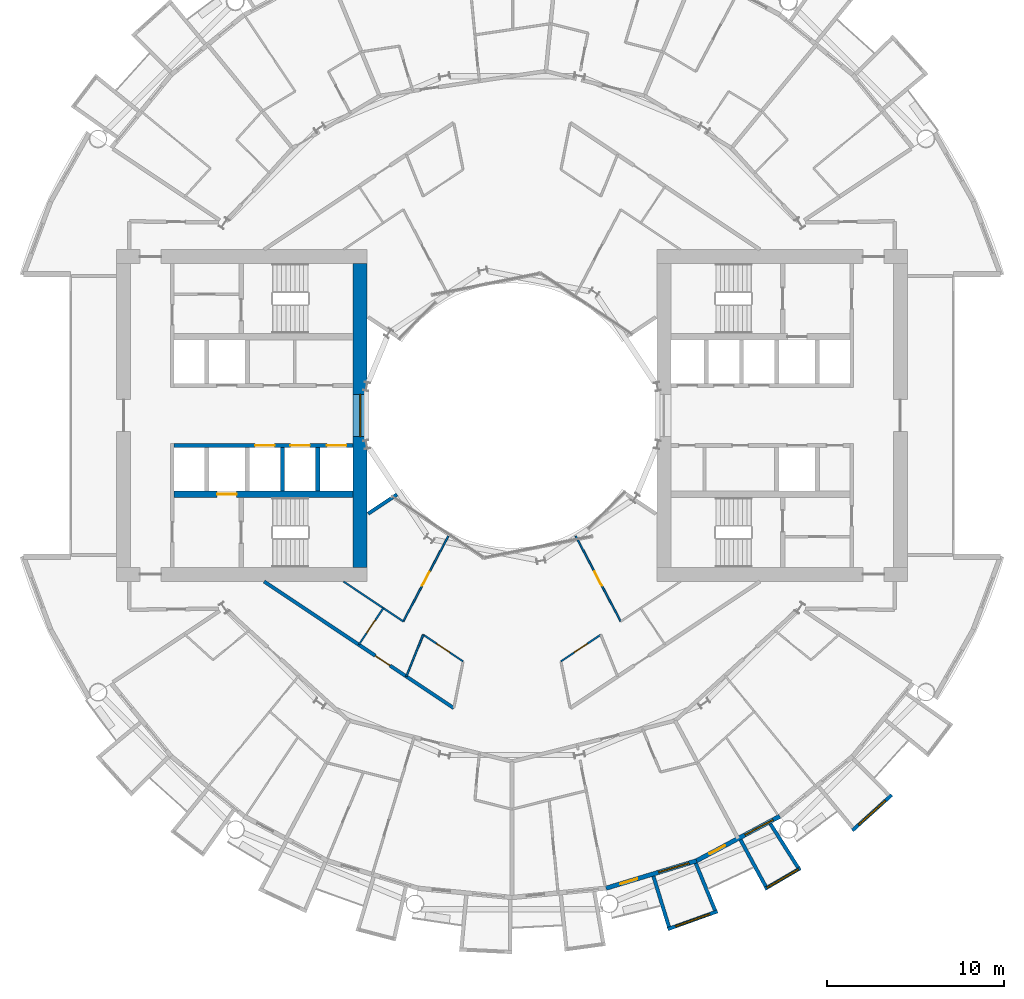
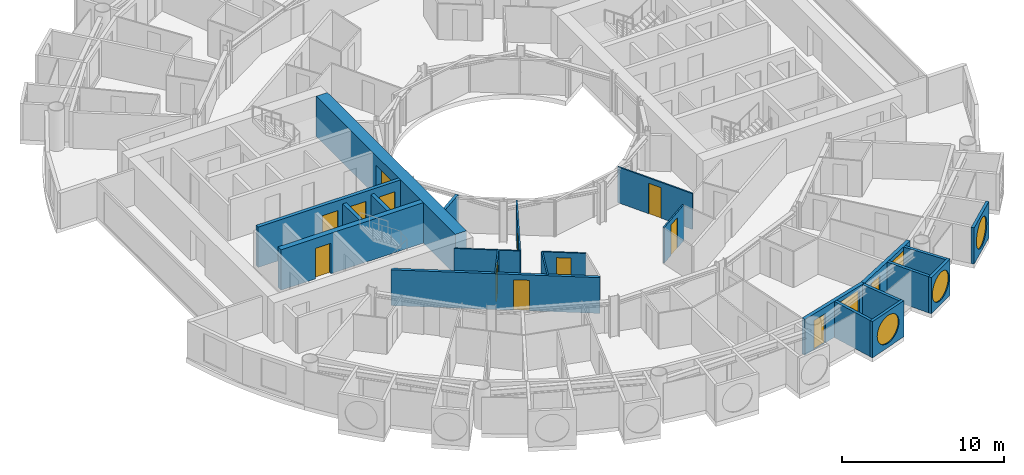
# One storey, part 15 of 26: 23 walls, 12 doors, 6 windows, 18 openings.
"""IFC4 building model written with IfcOpenShell, lengths in metres."""

from ifc_helpers import new_model, si_unit, direction, frame, frame_2d, origin, place, context, subcontext, project, spatial, rectangle, circle, extrude, material, layer, layer_set, type_object, element, fill, save


model = new_model("IFC4")

# Units and contexts
model_context = context("Model", 3, precision=1e-05, world=origin(), true_north=direction((0.0, 1.0)))
body_context = subcontext(model_context, "Body", "Model", "MODEL_VIEW")
ifc_project = project(units=[si_unit("LENGTHUNIT", "METRE"), si_unit("AREAUNIT", "SQUARE_METRE"), si_unit("VOLUMEUNIT", "CUBIC_METRE"), si_unit("PLANEANGLEUNIT", "RADIAN"), si_unit("MASSUNIT", "GRAM", prefix="KILO")], contexts=[model_context])

# Site, building, storey
site_placement = place(None, origin())
site = spatial("IfcSite", under=ifc_project, at=site_placement, CompositionType="ELEMENT")
building_placement = place(site_placement, origin())
building = spatial("IfcBuilding", under=site, at=building_placement, Name="Maasbend Ring Residences", CompositionType="ELEMENT")
storey_placement = place(building_placement, frame((0.0, 0.0, 31.949951171875)))
storey = spatial("IfcBuildingStorey", under=building, at=storey_placement, Name="L08", CompositionType="ELEMENT", Elevation=31.949951171875)

# Wall, openings, doors
ifc_material_1 = material(Name="Concrete C70/85", Category="concrete")
ifc_layer_1 = layer(ifc_material_1, 0.25)
ifc_layer_set_1 = layer_set([ifc_layer_1], Name="Concrete C70/85")
wall_type_1 = type_object("IfcWallType", Name="CORE WALL 250 C70/85", PredefinedType="SHEAR", material=ifc_layer_set_1)
wall_1_placement = place(storey_placement, frame((-9.0, -1.699951171875, 0.0), z_axis=(0.0, 0.0, 1.0), x_axis=(-1.0, 0.0, 0.0)))
wall_1 = element("IfcWall", 1, at=wall_1_placement, inside=storey, type_object=wall_type_1, Name="L08 core W wall SPN", PredefinedType="SHEAR", context=body_context, shape_type="SweptSolid", body=[
    extrude(rectangle(XDim=10.14990234375, YDim=0.25, at=frame_2d((5.074951171875, 0.0))), origin(), (0.0, 0.0, 1.0), 3.050048828125),
])
opening_1_placement = place(wall_1_placement, frame((0.387451171875, 0.0, 0.0)))
opening_1 = element("IfcOpeningElement", 2, at=opening_1_placement, cuts=wall_1, Name="Opening LD-W0801", PredefinedType="OPENING", context=body_context, shape_type="SweptSolid", body=[
    extrude(rectangle(XDim=1.10009765625, YDim=2.300048828125, at=frame_2d((0.550048828125, 1.14990234375))), frame((0.0, 0.135009765625, 0.0), z_axis=(0.0, -1.0, 0.0), x_axis=(1.0, 0.0, 0.0)), (0.0, 0.0, 1.0), 0.27001953125),
])
opening_2_placement = place(wall_1_placement, frame((2.449951171875, 0.0, 0.0)))
opening_2 = element("IfcOpeningElement", 3, at=opening_2_placement, cuts=wall_1, Name="Opening LD-W0802", PredefinedType="OPENING", context=body_context, shape_type="SweptSolid", body=[
    extrude(rectangle(XDim=1.10009765625, YDim=2.300048828125, at=frame_2d((0.550048828125, 1.14990234375))), frame((0.0, 0.135009765625, 0.0), z_axis=(0.0, -1.0, 0.0), x_axis=(1.0, 0.0, 0.0)), (0.0, 0.0, 1.0), 0.27001953125),
])
opening_3_placement = place(wall_1_placement, frame((4.449951171875, 0.0, 0.0)))
opening_3 = element("IfcOpeningElement", 4, at=opening_3_placement, cuts=wall_1, Name="Opening LD-W0803", PredefinedType="OPENING", context=body_context, shape_type="SweptSolid", body=[
    extrude(rectangle(XDim=1.10009765625, YDim=2.300048828125, at=frame_2d((0.550048828125, 1.14990234375))), frame((0.0, 0.135009765625, 0.0), z_axis=(0.0, -1.0, 0.0), x_axis=(1.0, 0.0, 0.0)), (0.0, 0.0, 1.0), 0.27001953125),
])
ifc_material_2 = material(Name="Stainless steel 316", Category="steel")
door_type_1 = type_object("IfcDoorType", Name="LANDING DOOR 1100 X 2300 FD60", OperationType="DOUBLE_DOOR_SLIDING", PredefinedType="DOOR", material=ifc_material_2)
door_1_placement = place(opening_1_placement, origin())
door_1 = element("IfcDoor", 5, at=door_1_placement, inside=storey, type_object=door_type_1, Name="Landing door LR-W1 L08", OperationType="DOUBLE_DOOR_SLIDING", OverallHeight=2.300048828125, OverallWidth=1.10009765625, PredefinedType="DOOR", context=body_context, shape_type="SweptSolid", body=[
    extrude(rectangle(XDim=1.10009765625, YDim=2.300048828125, at=frame_2d((0.550048828125, 1.14990234375))), frame((0.0, 0.02490234375, 0.0), z_axis=(0.0, -1.0, 0.0), x_axis=(1.0, 0.0, 0.0)), (0.0, 0.0, 1.0), 0.050048828125),
])
fill(opening_1, door_1)
door_2_placement = place(opening_2_placement, origin())
door_2 = element("IfcDoor", 6, at=door_2_placement, inside=storey, type_object=door_type_1, Name="Landing door LR-W2 L08", OperationType="DOUBLE_DOOR_SLIDING", OverallHeight=2.300048828125, OverallWidth=1.10009765625, PredefinedType="DOOR", context=body_context, shape_type="SweptSolid", body=[
    extrude(rectangle(XDim=1.10009765625, YDim=2.300048828125, at=frame_2d((0.550048828125, 1.14990234375))), frame((0.0, 0.02490234375, 0.0), z_axis=(0.0, -1.0, 0.0), x_axis=(1.0, 0.0, 0.0)), (0.0, 0.0, 1.0), 0.050048828125),
])
fill(opening_2, door_2)
door_3_placement = place(opening_3_placement, origin())
door_3 = element("IfcDoor", 7, at=door_3_placement, inside=storey, type_object=door_type_1, Name="Landing door LR-W3 L08", OperationType="DOUBLE_DOOR_SLIDING", OverallHeight=2.300048828125, OverallWidth=1.10009765625, PredefinedType="DOOR", context=body_context, shape_type="SweptSolid", body=[
    extrude(rectangle(XDim=1.10009765625, YDim=2.300048828125, at=frame_2d((0.550048828125, 1.14990234375))), frame((0.0, 0.02490234375, 0.0), z_axis=(0.0, -1.0, 0.0), x_axis=(1.0, 0.0, 0.0)), (0.0, 0.0, 1.0), 0.050048828125),
])
fill(opening_3, door_3)

# Wall, opening, door
ifc_material_3 = material(Name="Concrete C70/85", Category="concrete")
ifc_layer_2 = layer(ifc_material_3, 0.375)
ifc_layer_set_2 = layer_set([ifc_layer_2], Name="Concrete C70/85")
wall_type_2 = type_object("IfcWallType", Name="CORE WALL 375 C70/85", PredefinedType="SHEAR", material=ifc_layer_set_2)
wall_2_placement = place(storey_placement, frame((-9.0, -4.46240234375, 0.0), z_axis=(0.0, 0.0, 1.0), x_axis=(-1.0, 0.0, 0.0)))
wall_2 = element("IfcWall", 8, at=wall_2_placement, inside=storey, type_object=wall_type_2, Name="L08 core W wall BN", PredefinedType="SHEAR", context=body_context, shape_type="SweptSolid", body=[
    extrude(rectangle(XDim=10.14990234375, YDim=0.375, at=frame_2d((5.074951171875, 0.0))), origin(), (0.0, 0.0, 1.0), 3.050048828125),
])
opening_4_placement = place(wall_2_placement, frame((6.60009765625, 0.0, 0.0)))
opening_4 = element("IfcOpeningElement", 9, at=opening_4_placement, cuts=wall_2, Name="Opening LD-W0804", PredefinedType="OPENING", context=body_context, shape_type="SweptSolid", body=[
    extrude(rectangle(XDim=1.10009765625, YDim=2.300048828125, at=frame_2d((0.550048828125, 1.14990234375))), frame((0.0, 0.197509765625, 0.0), z_axis=(0.0, -1.0, 0.0), x_axis=(1.0, 0.0, 0.0)), (0.0, 0.0, 1.0), 0.39501953125),
])
door_4_placement = place(opening_4_placement, origin())
door_4 = element("IfcDoor", 10, at=door_4_placement, inside=storey, type_object=door_type_1, Name="Landing door FF-W L08", OperationType="DOUBLE_DOOR_SLIDING", OverallHeight=2.300048828125, OverallWidth=1.10009765625, PredefinedType="DOOR", context=body_context, shape_type="SweptSolid", body=[
    extrude(rectangle(XDim=1.10009765625, YDim=2.300048828125, at=frame_2d((0.550048828125, 1.14990234375))), frame((0.0, 0.02490234375, 0.0), z_axis=(0.0, -1.0, 0.0), x_axis=(1.0, 0.0, 0.0)), (0.0, 0.0, 1.0), 0.050048828125),
])
fill(opening_4, door_4)

# Wall, opening, window
ifc_material_4 = material(Name="Concrete C70/85", Category="concrete")
ifc_layer_3 = layer(ifc_material_4, 0.800048828125)
ifc_layer_set_3 = layer_set([ifc_layer_3], Name="Concrete C70/85")
wall_type_3 = type_object("IfcWallType", Name="CORE WALL 800 C70/85", PredefinedType="SHEAR", material=ifc_layer_set_3)
wall_3_placement = place(storey_placement, frame((-8.60009765625, 8.60009765625, 0.0), z_axis=(0.0, 0.0, 1.0), x_axis=(0.0, -1.0, 0.0)))
wall_3 = element("IfcWall", 11, at=wall_3_placement, inside=storey, type_object=wall_type_3, Name="L08 core W wall PIN", PredefinedType="SHEAR", context=body_context, shape_type="SweptSolid", body=[
    extrude(rectangle(XDim=17.2001953125, YDim=0.800048828125, at=frame_2d((8.60009765625, 0.0))), origin(), (0.0, 0.0, 1.0), 3.050048828125),
])
opening_5_placement = place(wall_3_placement, frame((7.39990234375, 0.0, 0.10009765625)))
opening_5 = element("IfcOpeningElement", 12, at=opening_5_placement, cuts=wall_3, Name="Opening W-W0801", PredefinedType="OPENING", context=body_context, shape_type="SweptSolid", body=[
    extrude(rectangle(XDim=2.39990234375, YDim=2.199951171875, at=frame_2d((1.199951171875, 1.10009765625))), frame((0.0, 0.41015625, 0.0), z_axis=(0.0, -1.0, 0.0), x_axis=(1.0, 0.0, 0.0)), (0.0, 0.0, 1.0), 0.820068359375),
])
ifc_material_5 = material(Name="Aluminium frame and clear glass", Category="aluminium")
window_type_1 = type_object("IfcWindowType", Name="FIXED WINDOW 2400 X 2200", PartitioningType="SINGLE_PANEL", PredefinedType="WINDOW", material=ifc_material_5)
window_1_placement = place(opening_5_placement, origin())
window_1 = element("IfcWindow", 13, at=window_1_placement, inside=storey, type_object=window_type_1, Name="Lobby window L08", OverallHeight=2.199951171875, OverallWidth=2.39990234375, PartitioningType="SINGLE_PANEL", PredefinedType="WINDOW", context=body_context, shape_type="SweptSolid", body=[
    extrude(rectangle(XDim=2.39990234375, YDim=2.199951171875, at=frame_2d((1.199951171875, 1.10009765625))), frame((0.0, 0.030029296875, 0.0), z_axis=(0.0, -1.0, 0.0), x_axis=(1.0, 0.0, 0.0)), (0.0, 0.0, 1.0), 0.06005859375),
])
fill(opening_5, window_1)

# Wall, opening, door
ifc_material_6 = material(Name="Concrete C30/37", Category="concrete")
ifc_layer_4 = layer(ifc_material_6, 0.199951171875)
ifc_layer_set_4 = layer_set([ifc_layer_4], Name="Concrete C30/37")
wall_type_4 = type_object("IfcWallType", Name="CORRIDOR WALL 200 CONCRETE", PredefinedType="PARTITIONING", material=ifc_layer_set_4)
wall_4_placement = place(storey_placement, frame((-14.035888671875, -9.402099609375, 0.0), z_axis=(0.0, 0.0, 1.0), x_axis=(0.831561346449, -0.555432918625, 0.0)))
wall_4 = element("IfcWall", 14, at=wall_4_placement, inside=storey, type_object=wall_type_4, Name="U-L08-w015", PredefinedType="PARTITIONING", context=body_context, shape_type="SweptSolid", body=[
    extrude(rectangle(XDim=12.9140625, YDim=0.199951171875, at=frame_2d((6.45703125, 0.0))), origin(), (0.0, 0.0, 1.0), 2.699951171875),
])
opening_6_placement = place(wall_4_placement, frame((7.56591796875, 0.0, 0.0)))
opening_6 = element("IfcOpeningElement", 15, at=opening_6_placement, cuts=wall_4, Name="Opening D-0849", PredefinedType="OPENING", context=body_context, shape_type="SweptSolid", body=[
    extrude(rectangle(XDim=1.0, YDim=2.300048828125, at=frame_2d((0.5, 1.14990234375))), frame((0.0, 0.10986328125, 0.0), z_axis=(0.0, -1.0, 0.0), x_axis=(1.0, 0.0, 0.0)), (0.0, 0.0, 1.0), 0.219970703125),
])
ifc_material_7 = material(Name="Timber, fire-rated, painted", Category="wood")
door_type_2 = type_object("IfcDoorType", Name="FLAT ENTRANCE DOOR 1000 X 2300 FIRE-RATED", OperationType="NOTDEFINED", PredefinedType="DOOR", material=ifc_material_7)
door_5_placement = place(opening_6_placement, origin())
door_5 = element("IfcDoor", 16, at=door_5_placement, inside=storey, type_object=door_type_2, Name="D-0849", OperationType="SINGLE_SWING_RIGHT", OverallHeight=2.300048828125, OverallWidth=1.0, PredefinedType="DOOR", context=body_context, shape_type="SweptSolid", body=[
    extrude(rectangle(XDim=1.0, YDim=2.300048828125, at=frame_2d((0.5, 1.14990234375))), frame((0.0, 0.02490234375, 0.0), z_axis=(0.0, -1.0, 0.0), x_axis=(1.0, 0.0, 0.0)), (0.0, 0.0, 1.0), 0.050048828125),
])
fill(opening_6, door_5)

# Wall, opening, window
ifc_material_8 = material(Name="Pale anodised aluminium panel", Category="aluminium")
ifc_layer_5 = layer(ifc_material_8, 0.199951171875)
ifc_layer_set_5 = layer_set([ifc_layer_5], Name="EW-BOX")
wall_type_5 = type_object("IfcWallType", Name="EW-BOX", PredefinedType="SOLIDWALL", material=ifc_layer_set_5)
wall_5_placement = place(storey_placement, frame((8.820068359375, -29.093017578125, -0.030029296875), z_axis=(0.0, 0.0, 1.0), x_axis=(0.941461077774, 0.337121697664, 0.0)))
wall_5 = element("IfcWall", 17, at=wall_5_placement, inside=storey, type_object=wall_type_5, Name="Box front S14", PredefinedType="SOLIDWALL", context=body_context, shape_type="SweptSolid", body=[
    extrude(rectangle(XDim=2.9931640625, YDim=0.199951171875, at=frame_2d((1.49658203125, 0.0))), origin(), (0.0, 0.0, 1.0), 2.72998046875),
])
opening_7_placement = place(wall_5_placement, frame((0.45654296875, 0.0, 0.330078125)))
opening_7 = element("IfcOpeningElement", 18, at=opening_7_placement, cuts=wall_5, Name="Opening W-RD", PredefinedType="OPENING", context=body_context, shape_type="SweptSolid", body=[
    extrude(circle(Radius=1.0400390625, at=frame_2d((1.0400390625, 1.0400390625))), frame((0.0, 0.10986328125, 0.0), z_axis=(0.0, -1.0, 0.0), x_axis=(1.0, 0.0, 0.0)), (0.0, 0.0, 1.0), 0.219970703125),
])
ifc_material_9 = material(Name="Aluminium and clear glass", Category="aluminium")
window_type_2 = type_object("IfcWindowType", Name="W-RD", PartitioningType="SINGLE_PANEL", PredefinedType="WINDOW", material=ifc_material_9)
window_2_placement = place(opening_7_placement, origin())
window_2 = element("IfcWindow", 19, at=window_2_placement, inside=storey, type_object=window_type_2, Name="Round window S14", OverallHeight=2.080078125, OverallWidth=2.080078125, PartitioningType="SINGLE_PANEL", PredefinedType="WINDOW", context=body_context, shape_type="SweptSolid", body=[
    extrude(circle(Radius=1.0400390625, at=frame_2d((1.0400390625, 1.0400390625))), frame((0.0, 0.030029296875, 0.0), z_axis=(0.0, -1.0, 0.0), x_axis=(1.0, 0.0, 0.0)), (0.0, 0.0, 1.0), 0.06005859375),
])
fill(opening_7, window_2)

# Walls
wall_6_placement = place(storey_placement, frame((8.009033203125, -26.092041015625, -0.030029296875), z_axis=(0.0, 0.0, 1.0), x_axis=(0.293406695073, -0.955987715029, 0.0)))
element("IfcWall", 20, at=wall_6_placement, inside=storey, type_object=wall_type_5, Name="Box side wall S14 left", PredefinedType="SOLIDWALL", context=body_context, shape_type="SweptSolid", body=[
    extrude(rectangle(XDim=3.00634765625, YDim=0.199951171875, at=frame_2d((1.503173828125, 0.0))), origin(), (0.0, 0.0, 1.0), 2.72998046875),
])
wall_7_placement = place(storey_placement, frame((10.408935546875, -25.364013671875, -0.030029296875), z_axis=(0.0, 0.0, 1.0), x_axis=(0.379509886562, -0.925187681501, 0.0)))
element("IfcWall", 21, at=wall_7_placement, inside=storey, type_object=wall_type_5, Name="Box side wall S14 right", PredefinedType="SOLIDWALL", context=body_context, shape_type="SweptSolid", body=[
    extrude(rectangle(XDim=2.882568359375, YDim=0.199951171875, at=frame_2d((1.44140625, 0.0))), origin(), (0.0, 0.0, 1.0), 2.72998046875),
])

# Wall, opening, window
wall_8_placement = place(storey_placement, frame((14.326904296875, -26.81201171875, -0.030029296875), z_axis=(0.0, 0.0, 1.0), x_axis=(0.863346521872, 0.504611517081, 0.0)))
wall_8 = element("IfcWall", 22, at=wall_8_placement, inside=storey, type_object=wall_type_5, Name="Box front S16", PredefinedType="SOLIDWALL", context=body_context, shape_type="SweptSolid", body=[
    extrude(rectangle(XDim=2.33642578125, YDim=0.199951171875, at=frame_2d((1.168212890625, 0.0))), origin(), (0.0, 0.0, 1.0), 2.72998046875),
])
opening_8_placement = place(wall_8_placement, frame((0.128173828125, 0.0, 0.330078125)))
opening_8 = element("IfcOpeningElement", 23, at=opening_8_placement, cuts=wall_8, Name="Opening W-RD", PredefinedType="OPENING", context=body_context, shape_type="SweptSolid", body=[
    extrude(circle(Radius=1.0400390625, at=frame_2d((1.0400390625, 1.0400390625))), frame((0.0, 0.10986328125, 0.0), z_axis=(0.0, -1.0, 0.0), x_axis=(1.0, 0.0, 0.0)), (0.0, 0.0, 1.0), 0.219970703125),
])
window_3_placement = place(opening_8_placement, origin())
window_3 = element("IfcWindow", 24, at=window_3_placement, inside=storey, type_object=window_type_2, Name="Round window S16", OverallHeight=2.080078125, OverallWidth=2.080078125, PartitioningType="SINGLE_PANEL", PredefinedType="WINDOW", context=body_context, shape_type="SweptSolid", body=[
    extrude(circle(Radius=1.0400390625, at=frame_2d((1.0400390625, 1.0400390625))), frame((0.0, 0.030029296875, 0.0), z_axis=(0.0, -1.0, 0.0), x_axis=(1.0, 0.0, 0.0)), (0.0, 0.0, 1.0), 0.06005859375),
])
fill(opening_8, window_3)

# Walls
wall_9_placement = place(storey_placement, frame((12.945068359375, -24.029052734375, -0.030029296875), z_axis=(0.0, 0.0, 1.0), x_axis=(0.474424310775, -0.88029629861, 0.0)))
element("IfcWall", 25, at=wall_9_placement, inside=storey, type_object=wall_type_5, Name="Box side wall S16 left", PredefinedType="SOLIDWALL", context=body_context, shape_type="SweptSolid", body=[
    extrude(rectangle(XDim=3.005859375, YDim=0.199951171875, at=frame_2d((1.5029296875, 0.0))), origin(), (0.0, 0.0, 1.0), 2.72998046875),
])
wall_10_placement = place(storey_placement, frame((14.635009765625, -23.1259765625, -0.030029296875), z_axis=(0.0, 0.0, 1.0), x_axis=(0.534437802731, -0.845207805816, 0.0)))
element("IfcWall", 26, at=wall_10_placement, inside=storey, type_object=wall_type_5, Name="Box side wall S16 right", PredefinedType="SOLIDWALL", context=body_context, shape_type="SweptSolid", body=[
    extrude(rectangle(XDim=2.931884765625, YDim=0.199951171875, at=frame_2d((1.4658203125, 0.0))), origin(), (0.0, 0.0, 1.0), 2.72998046875),
])

# Wall, opening, window
wall_11_placement = place(storey_placement, frame((19.281982421875, -23.5029296875, -0.030029296875), z_axis=(0.0, 0.0, 1.0), x_axis=(0.740998365753, 0.671506829416, 0.0)))
wall_11 = element("IfcWall", 27, at=wall_11_placement, inside=storey, type_object=wall_type_5, Name="Box front S18", PredefinedType="SOLIDWALL", context=body_context, shape_type="SweptSolid", body=[
    extrude(rectangle(XDim=2.9931640625, YDim=0.199951171875, at=frame_2d((1.49658203125, 0.0))), origin(), (0.0, 0.0, 1.0), 2.72998046875),
])
opening_9_placement = place(wall_11_placement, frame((0.45654296875, 0.0, 0.330078125)))
opening_9 = element("IfcOpeningElement", 28, at=opening_9_placement, cuts=wall_11, Name="Opening W-RD", PredefinedType="OPENING", context=body_context, shape_type="SweptSolid", body=[
    extrude(circle(Radius=1.0400390625, at=frame_2d((1.0400390625, 1.0400390625))), frame((0.0, 0.10986328125, 0.0), z_axis=(0.0, -1.0, 0.0), x_axis=(1.0, 0.0, 0.0)), (0.0, 0.0, 1.0), 0.219970703125),
])
window_4_placement = place(opening_9_placement, origin())
window_4 = element("IfcWindow", 29, at=window_4_placement, inside=storey, type_object=window_type_2, Name="Round window S18", OverallHeight=2.080078125, OverallWidth=2.080078125, PartitioningType="SINGLE_PANEL", PredefinedType="WINDOW", context=body_context, shape_type="SweptSolid", body=[
    extrude(circle(Radius=1.0400390625, at=frame_2d((1.0400390625, 1.0400390625))), frame((0.0, 0.030029296875, 0.0), z_axis=(0.0, -1.0, 0.0), x_axis=(1.0, 0.0, 0.0)), (0.0, 0.0, 1.0), 0.06005859375),
])
fill(opening_9, window_4)

# Wall, openings, door, window
ifc_material_10 = material(Name="Aluminium clad insulated panel", Category="aluminium")
ifc_layer_6 = layer(ifc_material_10, 0.25)
ifc_layer_set_6 = layer_set([ifc_layer_6], Name="EW-GL")
wall_type_6 = type_object("IfcWallType", Name="EW-GL", PredefinedType="SOLIDWALL", material=ifc_layer_set_6)
wall_12_placement = place(storey_placement, frame((5.325927734375, -26.77490234375, 0.0), z_axis=(0.0, 0.0, 1.0), x_axis=(0.956965678721, 0.290201119486, 0.0)))
wall_12 = element("IfcWall", 30, at=wall_12_placement, inside=storey, type_object=wall_type_6, Name="External wall S07", PredefinedType="SOLIDWALL", context=body_context, shape_type="SweptSolid", body=[
    extrude(rectangle(XDim=5.351318359375, YDim=0.25, at=frame_2d((2.67578125, 0.0))), origin(), (0.0, 0.0, 1.0), 2.699951171875),
])
opening_10_placement = place(wall_12_placement, frame((0.841064453125, 0.0, 0.0)))
opening_10 = element("IfcOpeningElement", 31, at=opening_10_placement, cuts=wall_12, Name="Opening D-LG", PredefinedType="OPENING", context=body_context, shape_type="SweptSolid", body=[
    extrude(rectangle(XDim=1.0, YDim=2.199951171875, at=frame_2d((0.5, 1.10009765625))), frame((0.0, 0.135009765625, 0.0), z_axis=(0.0, -1.0, 0.0), x_axis=(1.0, 0.0, 0.0)), (0.0, 0.0, 1.0), 0.27001953125),
])
opening_11_placement = place(wall_12_placement, frame((3.110595703125, 0.0, 0.300048828125)))
opening_11 = element("IfcOpeningElement", 32, at=opening_11_placement, cuts=wall_12, Name="Opening W-BX", PredefinedType="OPENING", context=body_context, shape_type="SweptSolid", body=[
    extrude(rectangle(XDim=1.800048828125, YDim=2.10009765625, at=frame_2d((0.89990234375, 1.050048828125))), frame((0.0, 0.135009765625, 0.0), z_axis=(0.0, -1.0, 0.0), x_axis=(1.0, 0.0, 0.0)), (0.0, 0.0, 1.0), 0.27001953125),
])
ifc_material_11 = material(Name="Aluminium and clear glass", Category="aluminium")
door_type_3 = type_object("IfcDoorType", Name="D-LG", OperationType="SINGLE_SWING_LEFT", PredefinedType="DOOR", material=ifc_material_11)
door_6_placement = place(opening_10_placement, origin())
door_6 = element("IfcDoor", 33, at=door_6_placement, inside=storey, type_object=door_type_3, Name="Loggia door S13", OperationType="SINGLE_SWING_LEFT", OverallHeight=2.199951171875, OverallWidth=1.0, PredefinedType="DOOR", context=body_context, shape_type="SweptSolid", body=[
    extrude(rectangle(XDim=1.0, YDim=2.199951171875, at=frame_2d((0.5, 1.10009765625))), frame((0.0, 0.02490234375, 0.0), z_axis=(0.0, -1.0, 0.0), x_axis=(1.0, 0.0, 0.0)), (0.0, 0.0, 1.0), 0.050048828125),
])
fill(opening_10, door_6)
ifc_material_12 = material(Name="Aluminium and clear glass", Category="aluminium")
window_type_3 = type_object("IfcWindowType", Name="W-BX", PartitioningType="DOUBLE_PANEL_VERTICAL", PredefinedType="WINDOW", material=ifc_material_12)
window_5_placement = place(opening_11_placement, origin())
window_5 = element("IfcWindow", 34, at=window_5_placement, inside=storey, type_object=window_type_3, Name="Window S14 room to box", OverallHeight=2.10009765625, OverallWidth=1.800048828125, PartitioningType="SINGLE_PANEL", PredefinedType="WINDOW", context=body_context, shape_type="SweptSolid", body=[
    extrude(rectangle(XDim=1.800048828125, YDim=2.10009765625, at=frame_2d((0.89990234375, 1.050048828125))), frame((0.0, 0.030029296875, 0.0), z_axis=(0.0, -1.0, 0.0), x_axis=(1.0, 0.0, 0.0)), (0.0, 0.0, 1.0), 0.06005859375),
])
fill(opening_11, window_5)

wall_13_placement = place(storey_placement, frame((10.447021484375, -25.221923828125, 0.0), z_axis=(0.0, 0.0, 1.0), x_axis=(0.881915646801, 0.471407246368, 0.0)))
wall_13 = element("IfcWall", 35, at=wall_13_placement, inside=storey, type_object=wall_type_6, Name="External wall S08", PredefinedType="SOLIDWALL", context=body_context, shape_type="SweptSolid", body=[
    extrude(rectangle(XDim=5.35205078125, YDim=0.25, at=frame_2d((2.676025390625, 0.0))), origin(), (0.0, 0.0, 1.0), 2.699951171875),
])
opening_12_placement = place(wall_13_placement, frame((0.841064453125, 0.0, 0.0)))
opening_12 = element("IfcOpeningElement", 36, at=opening_12_placement, cuts=wall_13, Name="Opening D-LG", PredefinedType="OPENING", context=body_context, shape_type="SweptSolid", body=[
    extrude(rectangle(XDim=1.0, YDim=2.199951171875, at=frame_2d((0.5, 1.10009765625))), frame((0.0, 0.135009765625, 0.0), z_axis=(0.0, -1.0, 0.0), x_axis=(1.0, 0.0, 0.0)), (0.0, 0.0, 1.0), 0.27001953125),
])
opening_13_placement = place(wall_13_placement, frame((3.110595703125, 0.0, 0.300048828125)))
opening_13 = element("IfcOpeningElement", 37, at=opening_13_placement, cuts=wall_13, Name="Opening W-BX", PredefinedType="OPENING", context=body_context, shape_type="SweptSolid", body=[
    extrude(rectangle(XDim=1.800048828125, YDim=2.10009765625, at=frame_2d((0.89990234375, 1.050048828125))), frame((0.0, 0.135009765625, 0.0), z_axis=(0.0, -1.0, 0.0), x_axis=(1.0, 0.0, 0.0)), (0.0, 0.0, 1.0), 0.27001953125),
])
door_7_placement = place(opening_12_placement, origin())
door_7 = element("IfcDoor", 38, at=door_7_placement, inside=storey, type_object=door_type_3, Name="Loggia door S15", OperationType="SINGLE_SWING_LEFT", OverallHeight=2.199951171875, OverallWidth=1.0, PredefinedType="DOOR", context=body_context, shape_type="SweptSolid", body=[
    extrude(rectangle(XDim=1.0, YDim=2.199951171875, at=frame_2d((0.5, 1.10009765625))), frame((0.0, 0.02490234375, 0.0), z_axis=(0.0, -1.0, 0.0), x_axis=(1.0, 0.0, 0.0)), (0.0, 0.0, 1.0), 0.050048828125),
])
fill(opening_12, door_7)
window_6_placement = place(opening_13_placement, origin())
window_6 = element("IfcWindow", 39, at=window_6_placement, inside=storey, type_object=window_type_3, Name="Window S16 room to box", OverallHeight=2.10009765625, OverallWidth=1.800048828125, PartitioningType="SINGLE_PANEL", PredefinedType="WINDOW", context=body_context, shape_type="SweptSolid", body=[
    extrude(rectangle(XDim=1.800048828125, YDim=2.10009765625, at=frame_2d((0.89990234375, 1.050048828125))), frame((0.0, 0.030029296875, 0.0), z_axis=(0.0, -1.0, 0.0), x_axis=(1.0, 0.0, 0.0)), (0.0, 0.0, 1.0), 0.06005859375),
])
fill(opening_13, window_6)

# Wall
ifc_material_13 = material(Name="Gypsum board on steel studs", Category="steel")
ifc_layer_7 = layer(ifc_material_13, 0.10009765625)
ifc_layer_set_7 = layer_set([ifc_layer_7], Name="PARTITION 100 GYPSUM")
wall_type_7 = type_object("IfcWallType", Name="PARTITION 100 GYPSUM", PredefinedType="PARTITIONING", material=ifc_layer_set_7)
wall_14_placement = place(storey_placement, frame((-9.544921875, -9.40087890625, 0.0), z_axis=(0.0, 0.0, 1.0), x_axis=(0.831459707426, -0.555585056429, 0.0)))
element("IfcWall", 40, at=wall_14_placement, inside=storey, type_object=wall_type_7, Name="U-L08-w017", PredefinedType="PARTITIONING", context=body_context, shape_type="SweptSolid", body=[
    extrude(rectangle(XDim=4.073486328125, YDim=0.10009765625, at=frame_2d((2.03662109375, 0.0))), origin(), (0.0, 0.0, 1.0), 2.699951171875),
])

# Wall, opening, door
wall_15_placement = place(storey_placement, frame((-5.029052734375, -12.41796875, 0.0), z_axis=(0.0, 0.0, 1.0), x_axis=(0.831538390496, -0.555467285384, 0.0)))
wall_15 = element("IfcWall", 41, at=wall_15_placement, inside=storey, type_object=wall_type_7, Name="U-L08-w018", PredefinedType="PARTITIONING", context=body_context, shape_type="SweptSolid", body=[
    extrude(rectangle(XDim=2.716796875, YDim=0.10009765625, at=frame_2d((1.3583984375, 0.0))), origin(), (0.0, 0.0, 1.0), 2.699951171875),
])
opening_14_placement = place(wall_15_placement, frame((0.907958984375, 0.0, 0.0)))
opening_14 = element("IfcOpeningElement", 42, at=opening_14_placement, cuts=wall_15, Name="Opening D-0850", PredefinedType="OPENING", context=body_context, shape_type="SweptSolid", body=[
    extrude(rectangle(XDim=0.89990234375, YDim=2.300048828125, at=frame_2d((0.449951171875, 1.14990234375))), frame((0.0, 0.06005859375, 0.0), z_axis=(0.0, -1.0, 0.0), x_axis=(1.0, 0.0, 0.0)), (0.0, 0.0, 1.0), 0.1201171875),
])
ifc_material_14 = material(Name="Timber, painted", Category="wood")
door_type_4 = type_object("IfcDoorType", Name="INTERNAL DOOR 900 X 2300", OperationType="NOTDEFINED", PredefinedType="DOOR", material=ifc_material_14)
door_8_placement = place(opening_14_placement, origin())
door_8 = element("IfcDoor", 43, at=door_8_placement, inside=storey, type_object=door_type_4, Name="D-0850", OperationType="SINGLE_SWING_LEFT", OverallHeight=2.300048828125, OverallWidth=0.89990234375, PredefinedType="DOOR", context=body_context, shape_type="SweptSolid", body=[
    extrude(rectangle(XDim=0.89990234375, YDim=2.300048828125, at=frame_2d((0.449951171875, 1.14990234375))), frame((0.0, 0.02490234375, 0.0), z_axis=(0.0, -1.0, 0.0), x_axis=(1.0, 0.0, 0.0)), (0.0, 0.0, 1.0), 0.050048828125),
])
fill(opening_14, door_8)

wall_16_placement = place(storey_placement, frame((2.77001953125, -13.927001953125, 0.0), z_axis=(0.0, 0.0, 1.0), x_axis=(0.831538390496, 0.555467285384, 0.0)))
wall_16 = element("IfcWall", 44, at=wall_16_placement, inside=storey, type_object=wall_type_7, Name="U-L08-w019", PredefinedType="PARTITIONING", context=body_context, shape_type="SweptSolid", body=[
    extrude(rectangle(XDim=2.716796875, YDim=0.10009765625, at=frame_2d((1.3583984375, 0.0))), origin(), (0.0, 0.0, 1.0), 2.699951171875),
])
opening_15_placement = place(wall_16_placement, frame((0.907958984375, 0.0, 0.0)))
opening_15 = element("IfcOpeningElement", 45, at=opening_15_placement, cuts=wall_16, Name="Opening D-0854", PredefinedType="OPENING", context=body_context, shape_type="SweptSolid", body=[
    extrude(rectangle(XDim=0.89990234375, YDim=2.300048828125, at=frame_2d((0.449951171875, 1.14990234375))), frame((0.0, 0.06005859375, 0.0), z_axis=(0.0, -1.0, 0.0), x_axis=(1.0, 0.0, 0.0)), (0.0, 0.0, 1.0), 0.1201171875),
])
door_9_placement = place(opening_15_placement, origin())
door_9 = element("IfcDoor", 46, at=door_9_placement, inside=storey, type_object=door_type_4, Name="D-0854", OperationType="SINGLE_SWING_RIGHT", OverallHeight=2.300048828125, OverallWidth=0.89990234375, PredefinedType="DOOR", context=body_context, shape_type="SweptSolid", body=[
    extrude(rectangle(XDim=0.89990234375, YDim=2.300048828125, at=frame_2d((0.449951171875, 1.14990234375))), frame((0.0, 0.02490234375, 0.0), z_axis=(0.0, -1.0, 0.0), x_axis=(1.0, 0.0, 0.0)), (0.0, 0.0, 1.0), 0.050048828125),
])
fill(opening_15, door_9)

wall_17_placement = place(storey_placement, frame((-8.675048828125, -12.98193359375, 0.0), z_axis=(0.0, 0.0, 1.0), x_axis=(0.555625883274, 0.831432425297, 0.0)))
wall_17 = element("IfcWall", 47, at=wall_17_placement, inside=storey, type_object=wall_type_7, Name="U-L08-w038", PredefinedType="PARTITIONING", context=body_context, shape_type="SweptSolid", body=[
    extrude(rectangle(XDim=2.494384765625, YDim=0.10009765625, at=frame_2d((1.2470703125, 0.0))), origin(), (0.0, 0.0, 1.0), 2.699951171875),
])
opening_16_placement = place(wall_17_placement, frame((0.798095703125, 0.0, 0.0)))
opening_16 = element("IfcOpeningElement", 48, at=opening_16_placement, cuts=wall_17, Name="Opening D-0851", PredefinedType="OPENING", context=body_context, shape_type="SweptSolid", body=[
    extrude(rectangle(XDim=0.89990234375, YDim=2.300048828125, at=frame_2d((0.449951171875, 1.14990234375))), frame((0.0, 0.06005859375, 0.0), z_axis=(0.0, -1.0, 0.0), x_axis=(1.0, 0.0, 0.0)), (0.0, 0.0, 1.0), 0.1201171875),
])
door_10_placement = place(opening_16_placement, origin())
door_10 = element("IfcDoor", 49, at=door_10_placement, inside=storey, type_object=door_type_4, Name="D-0851", OperationType="SINGLE_SWING_RIGHT", OverallHeight=2.300048828125, OverallWidth=0.89990234375, PredefinedType="DOOR", context=body_context, shape_type="SweptSolid", body=[
    extrude(rectangle(XDim=0.89990234375, YDim=2.300048828125, at=frame_2d((0.449951171875, 1.14990234375))), frame((0.0, 0.02490234375, 0.0), z_axis=(0.0, -1.0, 0.0), x_axis=(1.0, 0.0, 0.0)), (0.0, 0.0, 1.0), 0.050048828125),
])
fill(opening_16, door_10)

wall_18_placement = place(storey_placement, frame((-6.158935546875, -11.6630859375, 0.0), z_axis=(0.0, 0.0, 1.0), x_axis=(0.466976820365, 0.884269556889, 0.0)))
wall_18 = element("IfcWall", 50, at=wall_18_placement, inside=storey, type_object=wall_type_7, Name="U-L08-w043", PredefinedType="PARTITIONING", context=body_context, shape_type="SweptSolid", body=[
    extrude(rectangle(XDim=5.46923828125, YDim=0.10009765625, at=frame_2d((2.734619140625, 0.0))), origin(), (0.0, 0.0, 1.0), 2.699951171875),
])
opening_17_placement = place(wall_18_placement, frame((2.283935546875, 0.0, 0.0)))
opening_17 = element("IfcOpeningElement", 51, at=opening_17_placement, cuts=wall_18, Name="Opening D-0852", PredefinedType="OPENING", context=body_context, shape_type="SweptSolid", body=[
    extrude(rectangle(XDim=0.89990234375, YDim=2.300048828125, at=frame_2d((0.449951171875, 1.14990234375))), frame((0.0, 0.06005859375, 0.0), z_axis=(0.0, -1.0, 0.0), x_axis=(1.0, 0.0, 0.0)), (0.0, 0.0, 1.0), 0.1201171875),
])
door_11_placement = place(opening_17_placement, origin())
door_11 = element("IfcDoor", 52, at=door_11_placement, inside=storey, type_object=door_type_4, Name="D-0852", OperationType="SINGLE_SWING_LEFT", OverallHeight=2.300048828125, OverallWidth=0.89990234375, PredefinedType="DOOR", context=body_context, shape_type="SweptSolid", body=[
    extrude(rectangle(XDim=0.89990234375, YDim=2.300048828125, at=frame_2d((0.449951171875, 1.14990234375))), frame((0.0, 0.02490234375, 0.0), z_axis=(0.0, -1.0, 0.0), x_axis=(1.0, 0.0, 0.0)), (0.0, 0.0, 1.0), 0.050048828125),
])
fill(opening_17, door_11)

# Wall
wall_19_placement = place(storey_placement, frame((-5.986083984375, -14.779052734375, 0.0), z_axis=(0.0, 0.0, 1.0), x_axis=(0.375649498413, 0.926761811008, 0.0)))
element("IfcWall", 53, at=wall_19_placement, inside=storey, type_object=wall_type_7, Name="U-L08-w044", PredefinedType="PARTITIONING", context=body_context, shape_type="SweptSolid", body=[
    extrude(rectangle(XDim=2.547607421875, YDim=0.10009765625, at=frame_2d((1.27392578125, 0.0))), origin(), (0.0, 0.0, 1.0), 2.699951171875),
])

# Wall, opening, door
wall_20_placement = place(storey_placement, frame((3.60498046875, -6.826904296875, 0.0), z_axis=(0.0, 0.0, 1.0), x_axis=(0.466976820365, -0.884269556889, 0.0)))
wall_20 = element("IfcWall", 54, at=wall_20_placement, inside=storey, type_object=wall_type_7, Name="U-L08-w052", PredefinedType="PARTITIONING", context=body_context, shape_type="SweptSolid", body=[
    extrude(rectangle(XDim=5.46923828125, YDim=0.10009765625, at=frame_2d((2.734619140625, 0.0))), origin(), (0.0, 0.0, 1.0), 2.699951171875),
])
opening_18_placement = place(wall_20_placement, frame((2.283935546875, 0.0, 0.0)))
opening_18 = element("IfcOpeningElement", 55, at=opening_18_placement, cuts=wall_20, Name="Opening D-0856", PredefinedType="OPENING", context=body_context, shape_type="SweptSolid", body=[
    extrude(rectangle(XDim=0.89990234375, YDim=2.300048828125, at=frame_2d((0.449951171875, 1.14990234375))), frame((0.0, 0.06005859375, 0.0), z_axis=(0.0, -1.0, 0.0), x_axis=(1.0, 0.0, 0.0)), (0.0, 0.0, 1.0), 0.1201171875),
])
door_12_placement = place(opening_18_placement, origin())
door_12 = element("IfcDoor", 56, at=door_12_placement, inside=storey, type_object=door_type_4, Name="D-0856", OperationType="SINGLE_SWING_RIGHT", OverallHeight=2.300048828125, OverallWidth=0.89990234375, PredefinedType="DOOR", context=body_context, shape_type="SweptSolid", body=[
    extrude(rectangle(XDim=0.89990234375, YDim=2.300048828125, at=frame_2d((0.449951171875, 1.14990234375))), frame((0.0, 0.02490234375, 0.0), z_axis=(0.0, -1.0, 0.0), x_axis=(1.0, 0.0, 0.0)), (0.0, 0.0, 1.0), 0.050048828125),
])
fill(opening_18, door_12)

# Walls
ifc_material_15 = material(Name="Concrete C30/37", Category="concrete")
ifc_layer_8 = layer(ifc_material_15, 0.199951171875)
ifc_layer_set_8 = layer_set([ifc_layer_8], Name="Concrete C30/37")
wall_type_8 = type_object("IfcWallType", Name="PARTY WALL 200 CONCRETE", PredefinedType="PARTITIONING", material=ifc_layer_set_8)
wall_21_placement = place(storey_placement, frame((-6.512939453125, -4.471923828125, 0.0), z_axis=(0.0, 0.0, 1.0), x_axis=(-0.831417956244, -0.555647533996, 0.0)))
element("IfcWall", 57, at=wall_21_placement, inside=storey, type_object=wall_type_8, Name="U-L08-w023", PredefinedType="PARTITIONING", context=body_context, shape_type="SweptSolid", body=[
    extrude(rectangle(XDim=1.9619140625, YDim=0.199951171875, at=frame_2d((0.98095703125, 0.0))), origin(), (0.0, 0.0, 1.0), 2.699951171875),
])
ifc_material_16 = material(Name="Concrete C30/37", Category="concrete")
ifc_layer_9 = layer(ifc_material_16, 0.25)
ifc_layer_set_9 = layer_set([ifc_layer_9], Name="Concrete C30/37")
wall_type_9 = type_object("IfcWallType", Name="SHAFT WALL 250 EI 120", PredefinedType="SOLIDWALL", material=ifc_layer_set_9)
for number, where, z_axis, x_axis, name in (
    (58, (-11.0, -1.824951171875, 0.0), (0.0, 0.0, 1.0), (0.0, -1.0, 0.0), "L08 core W wall D110N"),
    (59, (-13.0, -1.824951171875, 0.0), (0.0, 0.0, 1.0), (0.0, -1.0, 0.0), "L08 core W wall D130N"),
):
    element("IfcWall", number, at=place(storey_placement, frame(where, z_axis=z_axis, x_axis=x_axis)), inside=storey, type_object=wall_type_9, Name=name, PredefinedType="SOLIDWALL", context=body_context, shape_type="SweptSolid", body=[
        extrude(rectangle(XDim=2.449951171875, YDim=0.25, at=frame_2d((1.22509765625, 0.0))), origin(), (0.0, 0.0, 1.0), 2.699951171875),
    ])

save(model, "model.ifc")
